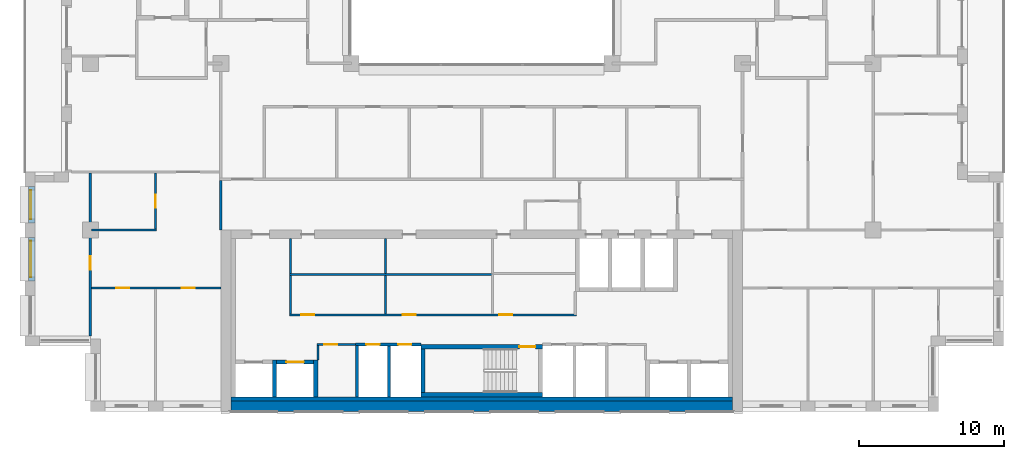
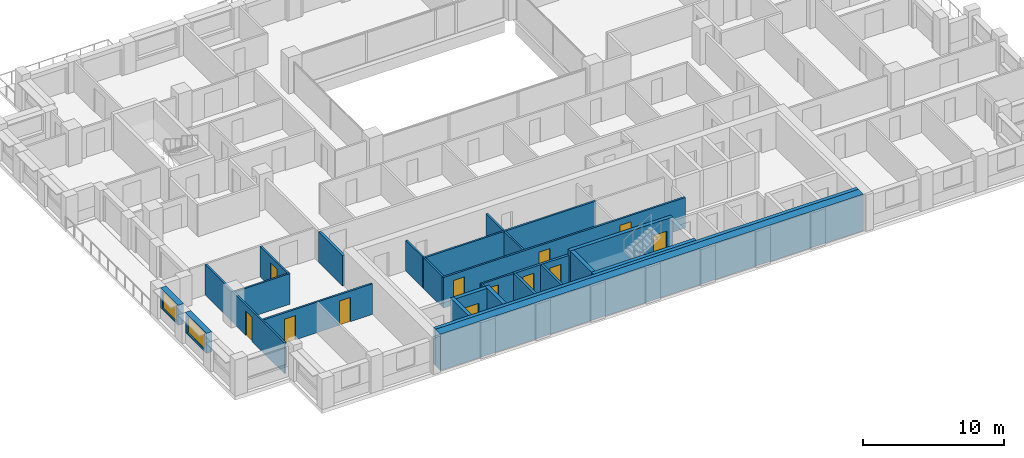
# One storey, part 8 of 16: 26 walls, 12 doors, 2 windows, 14 openings.
"""IFC4 building model written with IfcOpenShell, lengths in metres."""

import ifcopenshell
import ifcopenshell.guid

model = None  # the IFC model being written
_history = None  # IfcOwnerHistory: only IFC2X3 demands one
_inside = {}  # id of a spatial element -> (the spatial element, [elements in it])
_under = {}  # id of a project, library or spatial element -> (it, [spatial elements below it])
_declared = {}  # id of a project -> (the project, [libraries it declares])
_typed = {}  # id of a type object -> (the type object, [elements of that type])
_made_of = {}  # id of a material, layer set ... -> (it, [elements and type objects made of it])


def new_model(schema):
    """Start an empty IFC model of exactly this schema.

    Asked for "IFC4X3", IfcOpenShell would pick the latest addendum, in which some entities
    have other attributes; the version numbers below select the first issue.
    IFC2X3 requires an IfcOwnerHistory on every rooted entity: one is made here for all.
    """
    global model, _history
    if schema == "IFC4X3":
        model = ifcopenshell.file(schema_version=(4, 3, 0, 0))
    else:
        model = ifcopenshell.file(schema=schema)
    _inside.clear()
    _under.clear()
    _declared.clear()
    _typed.clear()
    _made_of.clear()
    _history = None
    if model.schema == "IFC2X3":
        org = make("IfcOrganization", Name="unknown")
        user = make(
            "IfcPersonAndOrganization",
            ThePerson=make("IfcPerson", FamilyName="unknown"),
            TheOrganization=org,
        )
        app = make(
            "IfcApplication",
            ApplicationDeveloper=org,
            Version="unknown",
            ApplicationFullName="unknown",
            ApplicationIdentifier="unknown",
        )
        _history = make(
            "IfcOwnerHistory",
            OwningUser=user,
            OwningApplication=app,
            ChangeAction="ADDED",
            CreationDate=0,
        )
    return model


def make(cls, **values):
    """One entity of the class cls with the attributes given. An attribute that is None is left unset."""
    return model.create_entity(
        cls, **{name: value for name, value in values.items() if value is not None}
    )


def rooted(cls, **values):
    """An entity with a GlobalId (a new one), such as an element, a storey or a relation."""
    return make(cls, GlobalId=ifcopenshell.guid.new(), OwnerHistory=_history, **values)


def si_unit(unit_type, name, prefix=None):
    """IfcSIUnit, for example si_unit("LENGTHUNIT", "METRE", prefix="MILLI")."""
    return make("IfcSIUnit", UnitType=unit_type, Prefix=prefix, Name=name)


def assignment(units):
    """IfcUnitAssignment: the units of a project."""
    return None if units is None else make("IfcUnitAssignment", Units=units)


def point(xyz):
    """IfcCartesianPoint."""
    return None if xyz is None else make("IfcCartesianPoint", Coordinates=xyz)


def direction(xyz):
    """IfcDirection."""
    return None if xyz is None else make("IfcDirection", DirectionRatios=xyz)


def frame(location, z_axis=None, x_axis=None):
    """IfcAxis2Placement3D, a coordinate frame: its origin and axes. An axis left out is left unset."""
    return make(
        "IfcAxis2Placement3D",
        Location=point(location),
        Axis=direction(z_axis),
        RefDirection=direction(x_axis),
    )


def frame_2d(location, x_axis=None):
    """IfcAxis2Placement2D, a coordinate frame in the plane: its origin and x axis."""
    return make(
        "IfcAxis2Placement2D", Location=point(location), RefDirection=direction(x_axis)
    )


def origin():
    """The frame at (0, 0, 0) with its axes left unset."""
    return frame((0.0, 0.0, 0.0))


def place(relative_to, where):
    """IfcLocalPlacement: puts the frame where relative to a parent placement (None: the world)."""
    return make(
        "IfcLocalPlacement", PlacementRelTo=relative_to, RelativePlacement=where
    )


def context(
    kind, dimensions, precision=None, world=None, true_north=None, identifier=None
):
    """IfcGeometricRepresentationContext, for example the 3D "Model" context."""
    return make(
        "IfcGeometricRepresentationContext",
        ContextIdentifier=identifier,
        ContextType=kind,
        CoordinateSpaceDimension=dimensions,
        Precision=precision,
        WorldCoordinateSystem=world,
        TrueNorth=true_north,
    )


def subcontext(parent, identifier, kind, view, scale=None):
    """IfcGeometricRepresentationSubContext, for example "Body" below "Model"."""
    return make(
        "IfcGeometricRepresentationSubContext",
        ContextIdentifier=identifier,
        ContextType=kind,
        ParentContext=parent,
        TargetScale=scale,
        TargetView=view,
    )


def project(units=None, contexts=None):
    """IfcProject with its units and contexts."""
    return rooted(
        "IfcProject",
        Name="project",
        RepresentationContexts=contexts,
        UnitsInContext=assignment(units),
    )


def spatial(cls, under=None, at=None, **own):
    """A site, building, storey or space (cls), placed at a placement, below another one or the project."""
    s = rooted(cls, ObjectPlacement=at, **own)
    if under is not None:
        _under.setdefault(under.id(), (under, []))[1].append(s)
    return s


def profile(cls, at=None, kind="AREA", **sizes):
    """A parametric profile (cls). Its sizes go by their IFC names, for example OverallWidth=200.0."""
    return make(cls, ProfileType=kind, Position=at, **sizes)


def rectangle(**sizes):
    """IfcRectangleProfileDef."""
    return profile("IfcRectangleProfileDef", **sizes)


def extrude(swept, where, along, depth):
    """IfcExtrudedAreaSolid: the profile swept, set in the frame where, extruded along a direction by depth."""
    return make(
        "IfcExtrudedAreaSolid",
        SweptArea=swept,
        Position=where,
        ExtrudedDirection=direction(along),
        Depth=depth,
    )


def shape(context_of_items, identifier, shape_type, items):
    """IfcShapeRepresentation: the items that make up one representation, for example the "Body"."""
    return make(
        "IfcShapeRepresentation",
        ContextOfItems=context_of_items,
        RepresentationIdentifier=identifier,
        RepresentationType=shape_type,
        Items=items,
    )


def material(Name=None, Category=None):
    """IfcMaterial."""
    return make("IfcMaterial", Name=Name, Category=Category)


def layer(
    of_material, thickness, ventilated=None, Name=None, Category=None, Priority=None
):
    """IfcMaterialLayer: one layer of a wall or slab, of a material (None: an air gap)."""
    return make(
        "IfcMaterialLayer",
        Material=of_material,
        LayerThickness=thickness,
        IsVentilated=ventilated,
        Name=Name,
        Category=Category,
        Priority=Priority,
    )


def layer_set(layers, Name=None):
    """IfcMaterialLayerSet."""
    return make("IfcMaterialLayerSet", MaterialLayers=layers, LayerSetName=Name)


def made_of(thing, what):
    """Note that an element or type object is made of a material, layer set ...; save() writes the relation."""
    if what is not None:
        _made_of.setdefault(what.id(), (what, []))[1].append(thing)
    return thing


def type_object(cls, material=None, **own):
    """A type object (cls), such as IfcWallType, which elements share."""
    return made_of(rooted(cls, **own), material)


def element(
    cls,
    number,
    at=None,
    inside=None,
    cuts=None,
    type_object=None,
    material=None,
    context=None,
    identifier="Body",
    shape_type=None,
    held_by="IfcProductDefinitionShape",
    body=None,
    shapes=None,
    **own,
):
    """One element of the class cls, such as IfcWall. Its Tag is "e" and its number.

    at: its placement. inside: the storey or other place that contains it. cuts: it is an
    opening in that element (IfcRelVoidsElement). A single representation is given by context,
    identifier, shape_type and body (its items); several are given by shapes. held_by: the class
    of the entity that holds the representations. save() writes the other relations.
    """
    e = rooted(cls, Tag="e%d" % number, ObjectPlacement=at, **own)
    if body is not None:
        shapes = [shape(context, identifier, shape_type, body)]
    if shapes is not None:
        e.Representation = make(held_by, Representations=shapes)
    if inside is not None:
        _inside.setdefault(inside.id(), (inside, []))[1].append(e)
    if cuts is not None:
        rooted(
            "IfcRelVoidsElement", RelatingBuildingElement=cuts, RelatedOpeningElement=e
        )
    if type_object is not None:
        _typed.setdefault(type_object.id(), (type_object, []))[1].append(e)
    return made_of(e, material)


def fill(opening, filler):
    """IfcRelFillsElement: the door or window that sits in an opening."""
    return rooted(
        "IfcRelFillsElement",
        RelatingOpeningElement=opening,
        RelatedBuildingElement=filler,
    )


def aggregate(whole, parts):
    """IfcRelAggregates: a whole, such as a stair, and the parts it consists of."""
    return rooted("IfcRelAggregates", RelatingObject=whole, RelatedObjects=parts)


def save(model, path):
    """Write the relations noted so far, then the file.

    IfcRelAggregates (storeys below a building ...), IfcRelContainedInSpatialStructure (elements
    in a storey), IfcRelDefinesByType, IfcRelAssociatesMaterial and IfcRelDeclares: one each for
    every whole, place, type object, material and project.
    """
    for whole, parts in _under.values():
        aggregate(whole, parts)
    for where, things in _inside.values():
        rooted(
            "IfcRelContainedInSpatialStructure",
            RelatedElements=things,
            RelatingStructure=where,
        )
    for kind, things in _typed.values():
        rooted("IfcRelDefinesByType", RelatedObjects=things, RelatingType=kind)
    for what, things in _made_of.values():
        rooted("IfcRelAssociatesMaterial", RelatedObjects=things, RelatingMaterial=what)
    for by, libraries in _declared.values():
        rooted("IfcRelDeclares", RelatingContext=by, RelatedDefinitions=libraries)
    model.write(path)


model = new_model("IFC4")

# Units and contexts
model_context = context("Model", 3, precision=1e-05, world=origin(), true_north=direction((0.0, 1.0)))
body_context = subcontext(model_context, "Body", "Model", "MODEL_VIEW")
ifc_project = project(units=[si_unit("LENGTHUNIT", "METRE"), si_unit("AREAUNIT", "SQUARE_METRE"), si_unit("VOLUMEUNIT", "CUBIC_METRE"), si_unit("PLANEANGLEUNIT", "RADIAN"), si_unit("MASSUNIT", "GRAM", prefix="KILO")], contexts=[model_context])

# Site, building, storey
site_placement = place(None, origin())
site = spatial("IfcSite", under=ifc_project, at=site_placement, CompositionType="ELEMENT")
building_placement = place(site_placement, origin())
building = spatial("IfcBuilding", under=site, at=building_placement, Name="Brigalow Station Residences", CompositionType="ELEMENT")
storey_placement = place(building_placement, frame((0.0, 0.0, 182.25)))
storey = spatial("IfcBuildingStorey", under=building, at=storey_placement, Name="L53", CompositionType="ELEMENT", Elevation=182.25)

# Wall, opening, window
ifc_material_1 = material(Name="Clay brick masonry", Category="masonry")
ifc_layer_1 = layer(ifc_material_1, 0.449951171875)
ifc_layer_set_1 = layer_set([ifc_layer_1], Name="BRICK INFILL WALL 450")
wall_type_1 = type_object("IfcWallType", Name="BRICK INFILL WALL 450", PredefinedType="SOLIDWALL", material=ifc_layer_set_1)
wall_1_placement = place(storey_placement, frame((4.97509765625, 15.5, 0.89990234375), z_axis=(0.0, 0.0, 1.0), x_axis=(0.0, -1.0, 0.0)))
wall_1 = element("IfcWall", 1, at=wall_1_placement, inside=storey, type_object=wall_type_1, Name="L53/ewall/W-L53-45", PredefinedType="SOLIDWALL", context=body_context, shape_type="SweptSolid", body=[
    extrude(rectangle(XDim=2.5, YDim=0.449951171875, at=frame_2d((1.25, 0.0))), origin(), (0.0, 0.0, 1.0), 1.75),
])
opening_1_placement = place(wall_1_placement, frame((0.25, 0.0, 0.14990234375)))
opening_1 = element("IfcOpeningElement", 2, at=opening_1_placement, cuts=wall_1, Name="Opening WT-7", PredefinedType="OPENING", context=body_context, shape_type="SweptSolid", body=[
    extrude(rectangle(XDim=2.0, YDim=1.5, at=frame_2d((1.0, 0.75))), frame((0.0, 0.23486328125, 0.0), z_axis=(0.0, -1.0, 0.0), x_axis=(1.0, 0.0, 0.0)), (0.0, 0.0, 1.0), 0.469970703125),
])
ifc_material_2 = material(Name="Anodised aluminium frame with double glazing", Category="aluminium")
window_type_1 = type_object("IfcWindowType", Name="WINDOW 2000x1500", PartitioningType="SINGLE_PANEL", PredefinedType="WINDOW", material=ifc_material_2)
window_1_placement = place(opening_1_placement, origin())
window_1 = element("IfcWindow", 3, at=window_1_placement, inside=storey, type_object=window_type_1, Name="L53/window/W-L53-45", OverallHeight=1.5, OverallWidth=2.0, PartitioningType="SINGLE_PANEL", PredefinedType="WINDOW", context=body_context, shape_type="SweptSolid", body=[
    extrude(rectangle(XDim=2.0, YDim=1.5, at=frame_2d((1.0, 0.75))), frame((0.0, -0.06494140625, 0.0), z_axis=(0.0, -1.0, 0.0), x_axis=(1.0, 0.0, 0.0)), (0.0, 0.0, 1.0), 0.06005859375),
])
fill(opening_1, window_1)

wall_2_placement = place(storey_placement, frame((4.97509765625, 12.0, 0.89990234375), z_axis=(0.0, 0.0, 1.0), x_axis=(0.0, -1.0, 0.0)))
wall_2 = element("IfcWall", 4, at=wall_2_placement, inside=storey, type_object=wall_type_1, Name="L53/ewall/W-L53-46", PredefinedType="SOLIDWALL", context=body_context, shape_type="SweptSolid", body=[
    extrude(rectangle(XDim=3.0, YDim=0.449951171875, at=frame_2d((1.5, 0.0))), origin(), (0.0, 0.0, 1.0), 1.75),
])
opening_2_placement = place(wall_2_placement, frame((0.25, 0.0, 0.14990234375)))
opening_2 = element("IfcOpeningElement", 5, at=opening_2_placement, cuts=wall_2, Name="Opening WT-5", PredefinedType="OPENING", context=body_context, shape_type="SweptSolid", body=[
    extrude(rectangle(XDim=2.5, YDim=1.5, at=frame_2d((1.25, 0.75))), frame((0.0, 0.23486328125, 0.0), z_axis=(0.0, -1.0, 0.0), x_axis=(1.0, 0.0, 0.0)), (0.0, 0.0, 1.0), 0.469970703125),
])
ifc_material_3 = material(Name="Anodised aluminium frame with double glazing", Category="aluminium")
window_type_2 = type_object("IfcWindowType", Name="WINDOW 2500x1500", PartitioningType="SINGLE_PANEL", PredefinedType="WINDOW", material=ifc_material_3)
window_2_placement = place(opening_2_placement, origin())
window_2 = element("IfcWindow", 6, at=window_2_placement, inside=storey, type_object=window_type_2, Name="L53/window/W-L53-46", OverallHeight=1.5, OverallWidth=2.5, PartitioningType="SINGLE_PANEL", PredefinedType="WINDOW", context=body_context, shape_type="SweptSolid", body=[
    extrude(rectangle(XDim=2.5, YDim=1.5, at=frame_2d((1.25, 0.75))), frame((0.0, -0.06494140625, 0.0), z_axis=(0.0, -1.0, 0.0), x_axis=(1.0, 0.0, 0.0)), (0.0, 0.0, 1.0), 0.06005859375),
])
fill(opening_2, window_2)

# Wall
ifc_material_4 = material(Name="Concrete C65", Category="concrete")
ifc_layer_2 = layer(ifc_material_4, 0.300048828125)
ifc_layer_set_2 = layer_set([ifc_layer_2], Name="CORE SHEAR WALL 300 C65")
wall_type_2 = type_object("IfcWallType", Name="CORE SHEAR WALL 300 C65", PredefinedType="SHEAR", material=ifc_layer_set_2)
wall_3_placement = place(storey_placement, frame((18.699951171875, 0.85009765625, 0.0), z_axis=(0.0, 0.0, 1.0), x_axis=(1.0, 0.0, 0.0)))
element("IfcWall", 7, at=wall_3_placement, inside=storey, type_object=wall_type_2, Name="CORE WALL LIN-S L53", PredefinedType="SHEAR", context=body_context, shape_type="SweptSolid", body=[
    extrude(rectangle(XDim=34.60009765625, YDim=0.300048828125, at=frame_2d((17.300048828125, 0.0))), origin(), (0.0, 0.0, 1.0), 3.14990234375),
])

# Wall, opening, door
wall_4_placement = place(storey_placement, frame((21.85009765625, 3.39990234375, 0.0), z_axis=(0.0, 0.0, 1.0), x_axis=(1.0, 0.0, 0.0)))
wall_4 = element("IfcWall", 8, at=wall_4_placement, inside=storey, type_object=wall_type_2, Name="CORE WALL SH-C2-N L53", PredefinedType="SHEAR", context=body_context, shape_type="SweptSolid", body=[
    extrude(rectangle(XDim=2.5498046875, YDim=0.300048828125, at=frame_2d((1.27490234375, 0.0))), origin(), (0.0, 0.0, 1.0), 3.14990234375),
])
opening_3_placement = place(wall_4_placement, frame((0.675048828125, 0.0, 0.0)))
opening_3 = element("IfcOpeningElement", 9, at=opening_3_placement, cuts=wall_4, Name="Opening LD-LB2", PredefinedType="OPENING", context=body_context, shape_type="SweptSolid", body=[
    extrude(rectangle(XDim=1.199951171875, YDim=2.10009765625, at=frame_2d((0.60009765625, 1.050048828125))), frame((0.0, 0.16015625, 0.0), z_axis=(0.0, -1.0, 0.0), x_axis=(1.0, 0.0, 0.0)), (0.0, 0.0, 1.0), 0.320068359375),
])
ifc_material_5 = material(Name="Stainless steel sliding door leaves", Category="steel")
door_type_1 = type_object("IfcDoorType", Name="LIFT LANDING DOOR 1200 x 2100", OperationType="DOUBLE_DOOR_SLIDING", PredefinedType="DOOR", material=ifc_material_5)
door_1_placement = place(opening_3_placement, origin())
door_1 = element("IfcDoor", 10, at=door_1_placement, inside=storey, type_object=door_type_1, Name="LANDING DOOR LB2", OperationType="DOUBLE_DOOR_SLIDING", OverallHeight=2.10009765625, OverallWidth=1.199951171875, PredefinedType="DOOR", context=body_context, shape_type="SweptSolid", body=[
    extrude(rectangle(XDim=1.199951171875, YDim=2.10009765625, at=frame_2d((0.60009765625, 1.050048828125))), frame((0.0, 0.02490234375, 0.0), z_axis=(0.0, -1.0, 0.0), x_axis=(1.0, 0.0, 0.0)), (0.0, 0.0, 1.0), 0.050048828125),
])
fill(opening_3, door_1)

# Walls
for number, where, z_axis, x_axis, name in (
    (11, (21.699951171875, 1.0, 0.0), (0.0, 0.0, 1.0), (0.0, 1.0, 0.0), "CORE WALL SH-C2-W L53"),
    (12, (24.550048828125, 1.0, 0.0), (0.0, 0.0, 1.0), (0.0, 1.0, 0.0), "CORE WALL SH-C2-E L53"),
):
    element("IfcWall", number, at=place(storey_placement, frame(where, z_axis=z_axis, x_axis=x_axis)), inside=storey, type_object=wall_type_2, Name=name, PredefinedType="SHEAR", context=body_context, shape_type="SweptSolid", body=[
        extrude(rectangle(XDim=2.550048828125, YDim=0.300048828125, at=frame_2d((1.27490234375, 0.0))), origin(), (0.0, 0.0, 1.0), 3.14990234375),
    ])
wall_5_placement = place(storey_placement, frame((31.800048828125, 1.14990234375, 0.0), z_axis=(0.0, 0.0, 1.0), x_axis=(1.0, 0.0, 0.0)))
element("IfcWall", 13, at=wall_5_placement, inside=storey, type_object=wall_type_2, Name="CORE WALL ST-S2-S L53", PredefinedType="SHEAR", context=body_context, shape_type="SweptSolid", body=[
    extrude(rectangle(XDim=8.39990234375, YDim=0.300048828125, at=frame_2d((4.199951171875, 0.0))), origin(), (0.0, 0.0, 1.0), 3.14990234375),
])

# Wall, opening, door
wall_6_placement = place(storey_placement, frame((31.800048828125, 4.449951171875, 0.0), z_axis=(0.0, 0.0, 1.0), x_axis=(1.0, 0.0, 0.0)))
wall_6 = element("IfcWall", 14, at=wall_6_placement, inside=storey, type_object=wall_type_2, Name="CORE WALL ST-S2-N L53", PredefinedType="SHEAR", context=body_context, shape_type="SweptSolid", body=[
    extrude(rectangle(XDim=8.39990234375, YDim=0.300048828125, at=frame_2d((4.199951171875, 0.0))), origin(), (0.0, 0.0, 1.0), 3.14990234375),
])
opening_4_placement = place(wall_6_placement, frame((6.800048828125, 0.0, 0.0)))
opening_4 = element("IfcOpeningElement", 15, at=opening_4_placement, cuts=wall_6, Name="Opening D-5001", PredefinedType="OPENING", context=body_context, shape_type="SweptSolid", body=[
    extrude(rectangle(XDim=1.10009765625, YDim=2.10009765625, at=frame_2d((0.550048828125, 1.050048828125))), frame((0.0, 0.16015625, 0.0), z_axis=(0.0, -1.0, 0.0), x_axis=(1.0, 0.0, 0.0)), (0.0, 0.0, 1.0), 0.320068359375),
])
ifc_material_6 = material(Name="Steel fire door leaf in steel frame", Category="steel")
door_type_2 = type_object("IfcDoorType", Name="STAIR DOOR 1100 x 2100 FD60S", OperationType="SINGLE_SWING_LEFT", PredefinedType="DOOR", material=ifc_material_6)
door_2_placement = place(opening_4_placement, frame((1.10009765625, 0.0, 0.0), z_axis=(0.0, 0.0, 1.0), x_axis=(-1.0, 0.0, 0.0)))
door_2 = element("IfcDoor", 16, at=door_2_placement, inside=storey, type_object=door_type_2, Name="D-5001", OperationType="SINGLE_SWING_LEFT", OverallHeight=2.10009765625, OverallWidth=1.10009765625, PredefinedType="DOOR", context=body_context, shape_type="SweptSolid", body=[
    extrude(rectangle(XDim=1.10009765625, YDim=2.10009765625, at=frame_2d((0.550048828125, 1.050048828125))), frame((0.0, 0.02490234375, 0.0), z_axis=(0.0, -1.0, 0.0), x_axis=(1.0, 0.0, 0.0)), (0.0, 0.0, 1.0), 0.050048828125),
])
fill(opening_4, door_2)

# Walls
wall_7_placement = place(storey_placement, frame((31.949951171875, 1.300048828125, 0.0), z_axis=(0.0, 0.0, 1.0), x_axis=(0.0, 1.0, 0.0)))
element("IfcWall", 17, at=wall_7_placement, inside=storey, type_object=wall_type_2, Name="CORE WALL ST-S2-W L53", PredefinedType="SHEAR", context=body_context, shape_type="SweptSolid", body=[
    extrude(rectangle(XDim=3.0, YDim=0.300048828125, at=frame_2d((1.5, 0.0))), origin(), (0.0, 0.0, 1.0), 3.14990234375),
])
ifc_material_7 = material(Name="Concrete C65", Category="concrete")
ifc_layer_3 = layer(ifc_material_7, 0.699951171875)
ifc_layer_set_3 = layer_set([ifc_layer_3], Name="CORE SHEAR WALL 700 C65")
wall_type_3 = type_object("IfcWallType", Name="CORE SHEAR WALL 700 C65", PredefinedType="SHEAR", material=ifc_layer_set_3)
wall_8_placement = place(storey_placement, frame((18.699951171875, 0.35009765625, 0.0), z_axis=(0.0, 0.0, 1.0), x_axis=(1.0, 0.0, 0.0)))
element("IfcWall", 18, at=wall_8_placement, inside=storey, type_object=wall_type_3, Name="CORE WALL OUT-S L53", PredefinedType="SHEAR", context=body_context, shape_type="SweptSolid", body=[
    extrude(rectangle(XDim=34.60009765625, YDim=0.699951171875, at=frame_2d((17.300048828125, 0.0))), origin(), (0.0, 0.0, 1.0), 3.14990234375),
])

# Wall, openings, doors
ifc_material_8 = material(Name="Concrete blockwork", Category="masonry")
ifc_layer_4 = layer(ifc_material_8, 0.199951171875)
ifc_layer_set_4 = layer_set([ifc_layer_4], Name="FIRE RATED CORE PARTITION 200")
wall_type_4 = type_object("IfcWallType", Name="FIRE RATED CORE PARTITION 200", PredefinedType="PARTITIONING", material=ifc_layer_set_4)
wall_9_placement = place(storey_placement, frame((27.300048828125, 4.60009765625, 0.0), z_axis=(0.0, 0.0, 1.0), x_axis=(1.0, 0.0, 0.0)))
wall_9 = element("IfcWall", 19, at=wall_9_placement, inside=storey, type_object=wall_type_4, Name="PW-5017", PredefinedType="PARTITIONING", context=body_context, shape_type="SweptSolid", body=[
    extrude(rectangle(XDim=4.5, YDim=0.199951171875, at=frame_2d((2.25, 0.0))), origin(), (0.0, 0.0, 1.0), 2.64990234375),
])
opening_5_placement = place(wall_9_placement, frame((0.75, 0.0, 0.0)))
opening_5 = element("IfcOpeningElement", 20, at=opening_5_placement, cuts=wall_9, Name="Opening D-5007", PredefinedType="OPENING", context=body_context, shape_type="SweptSolid", body=[
    extrude(rectangle(XDim=0.89990234375, YDim=2.10009765625, at=frame_2d((0.449951171875, 1.050048828125))), frame((0.0, 0.10986328125, 0.0), z_axis=(0.0, -1.0, 0.0), x_axis=(1.0, 0.0, 0.0)), (0.0, 0.0, 1.0), 0.219970703125),
])
opening_6_placement = place(wall_9_placement, frame((2.949951171875, 0.0, 0.0)))
opening_6 = element("IfcOpeningElement", 21, at=opening_6_placement, cuts=wall_9, Name="Opening D-5008", PredefinedType="OPENING", context=body_context, shape_type="SweptSolid", body=[
    extrude(rectangle(XDim=0.89990234375, YDim=2.10009765625, at=frame_2d((0.449951171875, 1.050048828125))), frame((0.0, 0.10986328125, 0.0), z_axis=(0.0, -1.0, 0.0), x_axis=(1.0, 0.0, 0.0)), (0.0, 0.0, 1.0), 0.219970703125),
])
ifc_material_9 = material(Name="Steel fire door leaf in steel frame", Category="steel")
door_type_3 = type_object("IfcDoorType", Name="RISER ACCESS DOOR 900 x 2100 FD120", OperationType="SINGLE_SWING_LEFT", PredefinedType="DOOR", material=ifc_material_9)
door_3_placement = place(opening_5_placement, frame((0.89990234375, 0.0, 0.0), z_axis=(0.0, 0.0, 1.0), x_axis=(-1.0, 0.0, 0.0)))
door_3 = element("IfcDoor", 22, at=door_3_placement, inside=storey, type_object=door_type_3, Name="D-5007", OperationType="SINGLE_SWING_RIGHT", OverallHeight=2.10009765625, OverallWidth=0.89990234375, PredefinedType="DOOR", context=body_context, shape_type="SweptSolid", body=[
    extrude(rectangle(XDim=0.89990234375, YDim=2.10009765625, at=frame_2d((0.449951171875, 1.050048828125))), frame((0.0, 0.02490234375, 0.0), z_axis=(0.0, -1.0, 0.0), x_axis=(1.0, 0.0, 0.0)), (0.0, 0.0, 1.0), 0.050048828125),
])
fill(opening_5, door_3)
door_4_placement = place(opening_6_placement, frame((0.89990234375, 0.0, 0.0), z_axis=(0.0, 0.0, 1.0), x_axis=(-1.0, 0.0, 0.0)))
door_4 = element("IfcDoor", 23, at=door_4_placement, inside=storey, type_object=door_type_3, Name="D-5008", OperationType="SINGLE_SWING_RIGHT", OverallHeight=2.10009765625, OverallWidth=0.89990234375, PredefinedType="DOOR", context=body_context, shape_type="SweptSolid", body=[
    extrude(rectangle(XDim=0.89990234375, YDim=2.10009765625, at=frame_2d((0.449951171875, 1.050048828125))), frame((0.0, 0.02490234375, 0.0), z_axis=(0.0, -1.0, 0.0), x_axis=(1.0, 0.0, 0.0)), (0.0, 0.0, 1.0), 0.050048828125),
])
fill(opening_6, door_4)

# Walls
wall_10_placement = place(storey_placement, frame((27.39990234375, 1.0, 0.0), z_axis=(0.0, 0.0, 1.0), x_axis=(0.0, 1.0, 0.0)))
element("IfcWall", 24, at=wall_10_placement, inside=storey, type_object=wall_type_4, Name="PW-5027", PredefinedType="PARTITIONING", context=body_context, shape_type="SweptSolid", body=[
    extrude(rectangle(XDim=3.52490234375, YDim=0.199951171875, at=frame_2d((1.762451171875, 0.0))), origin(), (0.0, 0.0, 1.0), 2.64990234375),
])
wall_11_placement = place(storey_placement, frame((29.60009765625, 1.0, 0.0), z_axis=(0.0, 0.0, 1.0), x_axis=(0.0, 1.0, 0.0)))
element("IfcWall", 25, at=wall_11_placement, inside=storey, type_object=wall_type_4, Name="PW-5006", PredefinedType="PARTITIONING", context=body_context, shape_type="SweptSolid", body=[
    extrude(rectangle(XDim=3.5, YDim=0.199951171875, at=frame_2d((1.75, 0.0))), origin(), (0.0, 0.0, 1.0), 2.64990234375),
])
wall_12_placement = place(storey_placement, frame((18.0, 12.5, 0.0), z_axis=(0.0, 0.0, 1.0), x_axis=(0.0, 1.0, 0.0)))
element("IfcWall", 26, at=wall_12_placement, inside=storey, type_object=wall_type_4, Name="PW-5013", PredefinedType="PARTITIONING", context=body_context, shape_type="SweptSolid", body=[
    extrude(rectangle(XDim=3.39990234375, YDim=0.199951171875, at=frame_2d((1.699951171875, 0.0))), origin(), (0.0, 0.0, 1.0), 2.64990234375),
])

# Wall, openings, doors
ifc_material_10 = material(Name="Plasterboard on steel stud partition", Category="steel")
ifc_layer_5 = layer(ifc_material_10, 0.14990234375)
ifc_layer_set_5 = layer_set([ifc_layer_5], Name="FLAT PARTITION 150")
wall_type_5 = type_object("IfcWallType", Name="FLAT PARTITION 150", PredefinedType="PARTITIONING", material=ifc_layer_set_5)
wall_13_placement = place(storey_placement, frame((9.074951171875, 8.5, 0.0), z_axis=(0.0, 0.0, 1.0), x_axis=(1.0, 0.0, 0.0)))
wall_13 = element("IfcWall", 27, at=wall_13_placement, inside=storey, type_object=wall_type_5, Name="PW-3F20", PredefinedType="PARTITIONING", context=body_context, shape_type="SweptSolid", body=[
    extrude(rectangle(XDim=8.925048828125, YDim=0.14990234375, at=frame_2d((4.46240234375, 0.0))), origin(), (0.0, 0.0, 1.0), 2.64990234375),
])
opening_7_placement = place(wall_13_placement, frame((1.72509765625, 0.0, 0.0)))
opening_7 = element("IfcOpeningElement", 28, at=opening_7_placement, cuts=wall_13, Name="Opening D-3F13", PredefinedType="OPENING", context=body_context, shape_type="SweptSolid", body=[
    extrude(rectangle(XDim=0.89990234375, YDim=2.10009765625, at=frame_2d((0.449951171875, 1.050048828125))), frame((0.0, 0.0849609375, 0.0), z_axis=(0.0, -1.0, 0.0), x_axis=(1.0, 0.0, 0.0)), (0.0, 0.0, 1.0), 0.169921875),
])
opening_8_placement = place(wall_13_placement, frame((6.22509765625, 0.0, 0.0)))
opening_8 = element("IfcOpeningElement", 29, at=opening_8_placement, cuts=wall_13, Name="Opening D-3F14", PredefinedType="OPENING", context=body_context, shape_type="SweptSolid", body=[
    extrude(rectangle(XDim=0.89990234375, YDim=2.10009765625, at=frame_2d((0.449951171875, 1.050048828125))), frame((0.0, 0.0849609375, 0.0), z_axis=(0.0, -1.0, 0.0), x_axis=(1.0, 0.0, 0.0)), (0.0, 0.0, 1.0), 0.169921875),
])
ifc_material_11 = material(Name="Solid-core timber door leaf", Category="wood")
door_type_4 = type_object("IfcDoorType", Name="INTERNAL DOOR 900 x 2100", OperationType="SINGLE_SWING_LEFT", PredefinedType="DOOR", material=ifc_material_11)
door_5_placement = place(opening_7_placement, frame((0.89990234375, 0.0, 0.0), z_axis=(0.0, 0.0, 1.0), x_axis=(-1.0, 0.0, 0.0)))
door_5 = element("IfcDoor", 30, at=door_5_placement, inside=storey, type_object=door_type_4, Name="D-3F13", OperationType="SINGLE_SWING_RIGHT", OverallHeight=2.10009765625, OverallWidth=0.89990234375, PredefinedType="DOOR", context=body_context, shape_type="SweptSolid", body=[
    extrude(rectangle(XDim=0.89990234375, YDim=2.10009765625, at=frame_2d((0.449951171875, 1.050048828125))), frame((0.0, 0.02490234375, 0.0), z_axis=(0.0, -1.0, 0.0), x_axis=(1.0, 0.0, 0.0)), (0.0, 0.0, 1.0), 0.050048828125),
])
fill(opening_7, door_5)
door_6_placement = place(opening_8_placement, frame((0.89990234375, 0.0, 0.0), z_axis=(0.0, 0.0, 1.0), x_axis=(-1.0, 0.0, 0.0)))
door_6 = element("IfcDoor", 31, at=door_6_placement, inside=storey, type_object=door_type_4, Name="D-3F14", OperationType="SINGLE_SWING_RIGHT", OverallHeight=2.10009765625, OverallWidth=0.89990234375, PredefinedType="DOOR", context=body_context, shape_type="SweptSolid", body=[
    extrude(rectangle(XDim=0.89990234375, YDim=2.10009765625, at=frame_2d((0.449951171875, 1.050048828125))), frame((0.0, 0.02490234375, 0.0), z_axis=(0.0, -1.0, 0.0), x_axis=(1.0, 0.0, 0.0)), (0.0, 0.0, 1.0), 0.050048828125),
])
fill(opening_8, door_6)

# Wall
wall_14_placement = place(storey_placement, frame((9.074951171875, 12.5, 0.0), z_axis=(0.0, 0.0, 1.0), x_axis=(1.0, 0.0, 0.0)))
element("IfcWall", 32, at=wall_14_placement, inside=storey, type_object=wall_type_5, Name="PW-3F22", PredefinedType="PARTITIONING", context=body_context, shape_type="SweptSolid", body=[
    extrude(rectangle(XDim=4.5, YDim=0.14990234375, at=frame_2d((2.25, 0.0))), origin(), (0.0, 0.0, 1.0), 2.64990234375),
])

# Wall, opening, door
wall_15_placement = place(storey_placement, frame((9.0, 5.199951171875, 0.0), z_axis=(0.0, 0.0, 1.0), x_axis=(0.0, 1.0, 0.0)))
wall_15 = element("IfcWall", 33, at=wall_15_placement, inside=storey, type_object=wall_type_5, Name="PW-3F36", PredefinedType="PARTITIONING", context=body_context, shape_type="SweptSolid", body=[
    extrude(rectangle(XDim=11.22509765625, YDim=0.14990234375, at=frame_2d((5.612548828125, 0.0))), origin(), (0.0, 0.0, 1.0), 2.64990234375),
])
opening_9_placement = place(wall_15_placement, frame((4.574951171875, 0.0, 0.0)))
opening_9 = element("IfcOpeningElement", 34, at=opening_9_placement, cuts=wall_15, Name="Opening D-3F15", PredefinedType="OPENING", context=body_context, shape_type="SweptSolid", body=[
    extrude(rectangle(XDim=0.89990234375, YDim=2.10009765625, at=frame_2d((0.449951171875, 1.050048828125))), frame((0.0, 0.0849609375, 0.0), z_axis=(0.0, -1.0, 0.0), x_axis=(1.0, 0.0, 0.0)), (0.0, 0.0, 1.0), 0.169921875),
])
door_7_placement = place(opening_9_placement, origin())
door_7 = element("IfcDoor", 35, at=door_7_placement, inside=storey, type_object=door_type_4, Name="D-3F15", OperationType="SINGLE_SWING_LEFT", OverallHeight=2.10009765625, OverallWidth=0.89990234375, PredefinedType="DOOR", context=body_context, shape_type="SweptSolid", body=[
    extrude(rectangle(XDim=0.89990234375, YDim=2.10009765625, at=frame_2d((0.449951171875, 1.050048828125))), frame((0.0, 0.02490234375, 0.0), z_axis=(0.0, -1.0, 0.0), x_axis=(1.0, 0.0, 0.0)), (0.0, 0.0, 1.0), 0.050048828125),
])
fill(opening_9, door_7)

wall_16_placement = place(storey_placement, frame((13.5, 12.574951171875, 0.0), z_axis=(0.0, 0.0, 1.0), x_axis=(0.0, 1.0, 0.0)))
wall_16 = element("IfcWall", 36, at=wall_16_placement, inside=storey, type_object=wall_type_5, Name="PW-3F41", PredefinedType="PARTITIONING", context=body_context, shape_type="SweptSolid", body=[
    extrude(rectangle(XDim=3.85009765625, YDim=0.14990234375, at=frame_2d((1.925048828125, 0.0))), origin(), (0.0, 0.0, 1.0), 2.64990234375),
])
opening_10_placement = place(wall_16_placement, frame((1.47509765625, 0.0, 0.0)))
opening_10 = element("IfcOpeningElement", 37, at=opening_10_placement, cuts=wall_16, Name="Opening D-3F16", PredefinedType="OPENING", context=body_context, shape_type="SweptSolid", body=[
    extrude(rectangle(XDim=0.89990234375, YDim=2.10009765625, at=frame_2d((0.449951171875, 1.050048828125))), frame((0.0, 0.0849609375, 0.0), z_axis=(0.0, -1.0, 0.0), x_axis=(1.0, 0.0, 0.0)), (0.0, 0.0, 1.0), 0.169921875),
])
door_8_placement = place(opening_10_placement, origin())
door_8 = element("IfcDoor", 38, at=door_8_placement, inside=storey, type_object=door_type_4, Name="D-3F16", OperationType="SINGLE_SWING_LEFT", OverallHeight=2.10009765625, OverallWidth=0.89990234375, PredefinedType="DOOR", context=body_context, shape_type="SweptSolid", body=[
    extrude(rectangle(XDim=0.89990234375, YDim=2.10009765625, at=frame_2d((0.449951171875, 1.050048828125))), frame((0.0, 0.02490234375, 0.0), z_axis=(0.0, -1.0, 0.0), x_axis=(1.0, 0.0, 0.0)), (0.0, 0.0, 1.0), 0.050048828125),
])
fill(opening_10, door_8)

ifc_material_12 = material(Name="Plasterboard on steel studs", Category="steel")
ifc_layer_6 = layer(ifc_material_12, 0.14990234375)
ifc_layer_set_6 = layer_set([ifc_layer_6], Name="SERVICE ROOM PARTITION 150")
wall_type_6 = type_object("IfcWallType", Name="SERVICE ROOM PARTITION 150", PredefinedType="PARTITIONING", material=ifc_layer_set_6)
wall_17_placement = place(storey_placement, frame((24.625, 4.60009765625, 0.0), z_axis=(0.0, 0.0, 1.0), x_axis=(1.0, 0.0, 0.0)))
wall_17 = element("IfcWall", 39, at=wall_17_placement, inside=storey, type_object=wall_type_6, Name="PW-5155", PredefinedType="PARTITIONING", context=body_context, shape_type="SweptSolid", body=[
    extrude(rectangle(XDim=2.675048828125, YDim=0.14990234375, at=frame_2d((1.33740234375, 0.0))), origin(), (0.0, 0.0, 1.0), 2.64990234375),
])
opening_11_placement = place(wall_17_placement, frame((0.52490234375, 0.0, 0.0)))
opening_11 = element("IfcOpeningElement", 40, at=opening_11_placement, cuts=wall_17, Name="Opening D-5087", PredefinedType="OPENING", context=body_context, shape_type="SweptSolid", body=[
    extrude(rectangle(XDim=0.89990234375, YDim=2.10009765625, at=frame_2d((0.449951171875, 1.050048828125))), frame((0.0, 0.0849609375, 0.0), z_axis=(0.0, -1.0, 0.0), x_axis=(1.0, 0.0, 0.0)), (0.0, 0.0, 1.0), 0.169921875),
])
ifc_material_13 = material(Name="Steel door leaf in steel frame", Category="steel")
door_type_5 = type_object("IfcDoorType", Name="SERVICE ROOM DOOR 900 x 2100 FD60", OperationType="SINGLE_SWING_LEFT", PredefinedType="DOOR", material=ifc_material_13)
door_9_placement = place(opening_11_placement, frame((0.89990234375, 0.0, 0.0), z_axis=(0.0, 0.0, 1.0), x_axis=(-1.0, 0.0, 0.0)))
door_9 = element("IfcDoor", 41, at=door_9_placement, inside=storey, type_object=door_type_5, Name="D-5087", OperationType="SINGLE_SWING_RIGHT", OverallHeight=2.10009765625, OverallWidth=0.89990234375, PredefinedType="DOOR", context=body_context, shape_type="SweptSolid", body=[
    extrude(rectangle(XDim=0.89990234375, YDim=2.10009765625, at=frame_2d((0.449951171875, 1.050048828125))), frame((0.0, 0.02490234375, 0.0), z_axis=(0.0, -1.0, 0.0), x_axis=(1.0, 0.0, 0.0)), (0.0, 0.0, 1.0), 0.050048828125),
])
fill(opening_11, door_9)

# Wall, openings, doors
wall_18_placement = place(storey_placement, frame((22.72509765625, 6.64990234375, 0.0), z_axis=(0.0, 0.0, 1.0), x_axis=(1.0, 0.0, 0.0)))
wall_18 = element("IfcWall", 42, at=wall_18_placement, inside=storey, type_object=wall_type_6, Name="PW-5195", PredefinedType="PARTITIONING", context=body_context, shape_type="SweptSolid", body=[
    extrude(rectangle(XDim=19.7998046875, YDim=0.14990234375, at=frame_2d((9.89990234375, 0.0))), origin(), (0.0, 0.0, 1.0), 2.64990234375),
])
opening_12_placement = place(wall_18_placement, frame((0.824951171875, 0.0, 0.0)))
opening_12 = element("IfcOpeningElement", 43, at=opening_12_placement, cuts=wall_18, Name="Opening D-5110", PredefinedType="OPENING", context=body_context, shape_type="SweptSolid", body=[
    extrude(rectangle(XDim=0.89990234375, YDim=2.10009765625, at=frame_2d((0.449951171875, 1.050048828125))), frame((0.0, 0.0849609375, 0.0), z_axis=(0.0, -1.0, 0.0), x_axis=(1.0, 0.0, 0.0)), (0.0, 0.0, 1.0), 0.169921875),
])
opening_13_placement = place(wall_18_placement, frame((7.824951171875, 0.0, 0.0)))
opening_13 = element("IfcOpeningElement", 44, at=opening_13_placement, cuts=wall_18, Name="Opening D-5123", PredefinedType="OPENING", context=body_context, shape_type="SweptSolid", body=[
    extrude(rectangle(XDim=0.89990234375, YDim=2.10009765625, at=frame_2d((0.449951171875, 1.050048828125))), frame((0.0, 0.0849609375, 0.0), z_axis=(0.0, -1.0, 0.0), x_axis=(1.0, 0.0, 0.0)), (0.0, 0.0, 1.0), 0.169921875),
])
opening_14_placement = place(wall_18_placement, frame((14.47509765625, 0.0, 0.0)))
opening_14 = element("IfcOpeningElement", 45, at=opening_14_placement, cuts=wall_18, Name="Opening D-5114", PredefinedType="OPENING", context=body_context, shape_type="SweptSolid", body=[
    extrude(rectangle(XDim=0.89990234375, YDim=2.10009765625, at=frame_2d((0.449951171875, 1.050048828125))), frame((0.0, 0.0849609375, 0.0), z_axis=(0.0, -1.0, 0.0), x_axis=(1.0, 0.0, 0.0)), (0.0, 0.0, 1.0), 0.169921875),
])
door_10_placement = place(opening_12_placement, origin())
door_10 = element("IfcDoor", 46, at=door_10_placement, inside=storey, type_object=door_type_5, Name="D-5110", OperationType="SINGLE_SWING_LEFT", OverallHeight=2.10009765625, OverallWidth=0.89990234375, PredefinedType="DOOR", context=body_context, shape_type="SweptSolid", body=[
    extrude(rectangle(XDim=0.89990234375, YDim=2.10009765625, at=frame_2d((0.449951171875, 1.050048828125))), frame((0.0, 0.02490234375, 0.0), z_axis=(0.0, -1.0, 0.0), x_axis=(1.0, 0.0, 0.0)), (0.0, 0.0, 1.0), 0.050048828125),
])
fill(opening_12, door_10)
door_11_placement = place(opening_13_placement, origin())
door_11 = element("IfcDoor", 47, at=door_11_placement, inside=storey, type_object=door_type_5, Name="D-5123", OperationType="SINGLE_SWING_LEFT", OverallHeight=2.10009765625, OverallWidth=0.89990234375, PredefinedType="DOOR", context=body_context, shape_type="SweptSolid", body=[
    extrude(rectangle(XDim=0.89990234375, YDim=2.10009765625, at=frame_2d((0.449951171875, 1.050048828125))), frame((0.0, 0.02490234375, 0.0), z_axis=(0.0, -1.0, 0.0), x_axis=(1.0, 0.0, 0.0)), (0.0, 0.0, 1.0), 0.050048828125),
])
fill(opening_13, door_11)
door_12_placement = place(opening_14_placement, origin())
door_12 = element("IfcDoor", 48, at=door_12_placement, inside=storey, type_object=door_type_5, Name="D-5114", OperationType="SINGLE_SWING_LEFT", OverallHeight=2.10009765625, OverallWidth=0.89990234375, PredefinedType="DOOR", context=body_context, shape_type="SweptSolid", body=[
    extrude(rectangle(XDim=0.89990234375, YDim=2.10009765625, at=frame_2d((0.449951171875, 1.050048828125))), frame((0.0, 0.02490234375, 0.0), z_axis=(0.0, -1.0, 0.0), x_axis=(1.0, 0.0, 0.0)), (0.0, 0.0, 1.0), 0.050048828125),
])
fill(opening_14, door_12)

# Walls
wall_19_placement = place(storey_placement, frame((22.72509765625, 9.429931640625, 0.0), z_axis=(0.0, 0.0, 1.0), x_axis=(1.0, 0.0, 0.0)))
element("IfcWall", 49, at=wall_19_placement, inside=storey, type_object=wall_type_6, Name="PW-5236", PredefinedType="PARTITIONING", context=body_context, shape_type="SweptSolid", body=[
    extrude(rectangle(XDim=14.099853515625, YDim=0.14990234375, at=frame_2d((7.0498046875, 0.0))), origin(), (0.0, 0.0, 1.0), 2.64990234375),
])
wall_20_placement = place(storey_placement, frame((24.699951171875, 3.550048828125, 0.0), z_axis=(0.0, 0.0, 1.0), x_axis=(0.0, 1.0, 0.0)))
element("IfcWall", 50, at=wall_20_placement, inside=storey, type_object=wall_type_6, Name="PW-5157", PredefinedType="PARTITIONING", context=body_context, shape_type="SweptSolid", body=[
    extrude(rectangle(XDim=0.974853515625, YDim=0.14990234375, at=frame_2d((0.4873046875, 0.0))), origin(), (0.0, 0.0, 1.0), 2.64990234375),
])
for number, where, z_axis, x_axis, name in (
    (51, (22.800048828125, 6.72509765625, 0.0), (0.0, 0.0, 1.0), (0.0, 1.0, 0.0), "PW-5237"),
    (52, (29.3701171875, 6.72509765625, 0.0), (0.0, 0.0, 1.0), (0.0, 1.0, 0.0), "PW-5238"),
):
    element("IfcWall", number, at=place(storey_placement, frame(where, z_axis=z_axis, x_axis=x_axis)), inside=storey, type_object=wall_type_6, Name=name, PredefinedType="PARTITIONING", context=body_context, shape_type="SweptSolid", body=[
        extrude(rectangle(XDim=2.6298828125, YDim=0.14990234375, at=frame_2d((1.31494140625, 0.0))), origin(), (0.0, 0.0, 1.0), 2.64990234375),
    ])
for number, where, z_axis, x_axis, name in (
    (53, (22.800048828125, 9.5048828125, 0.0), (0.0, 0.0, 1.0), (0.0, 1.0, 0.0), "PW-5240"),
    (54, (29.3701171875, 9.5048828125, 0.0), (0.0, 0.0, 1.0), (0.0, 1.0, 0.0), "PW-5241"),
):
    element("IfcWall", number, at=place(storey_placement, frame(where, z_axis=z_axis, x_axis=x_axis)), inside=storey, type_object=wall_type_6, Name=name, PredefinedType="PARTITIONING", context=body_context, shape_type="SweptSolid", body=[
        extrude(rectangle(XDim=2.39501953125, YDim=0.14990234375, at=frame_2d((1.197509765625, 0.0))), origin(), (0.0, 0.0, 1.0), 2.64990234375),
    ])

save(model, "model.ifc")
